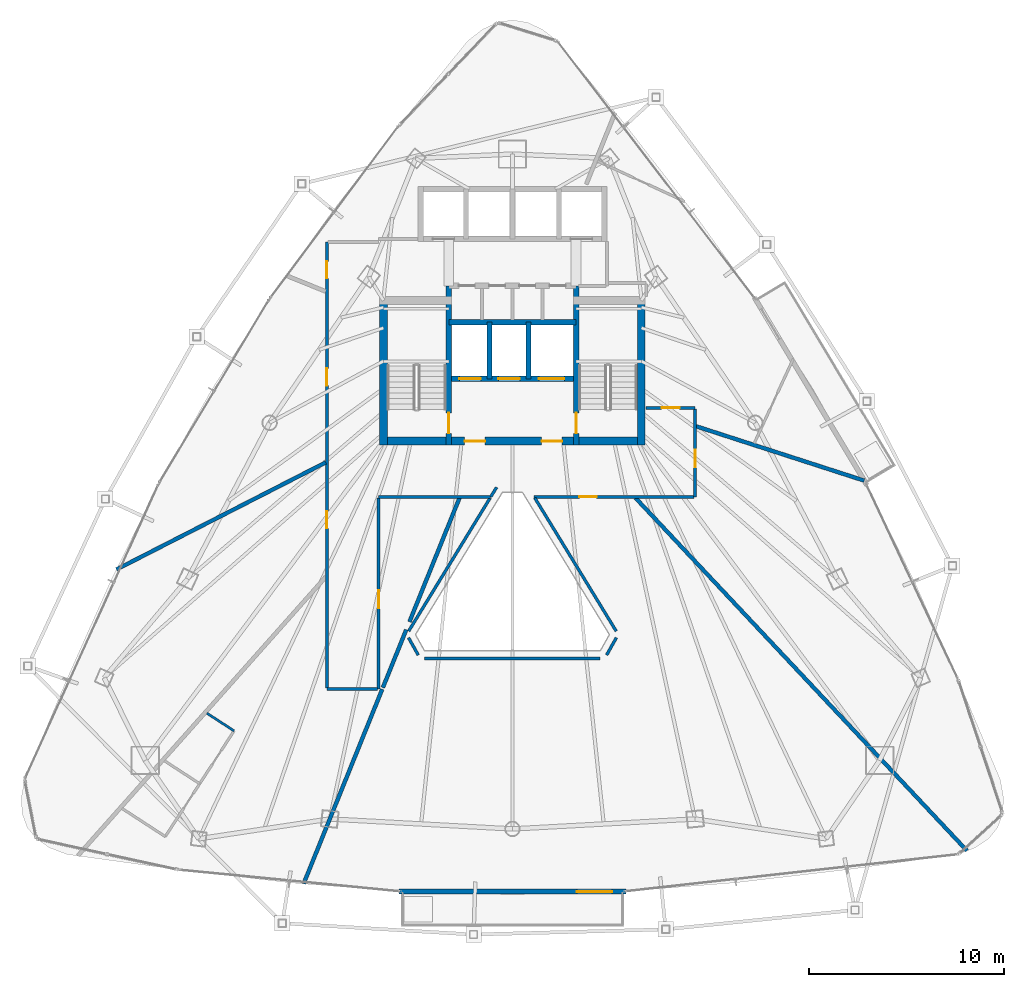
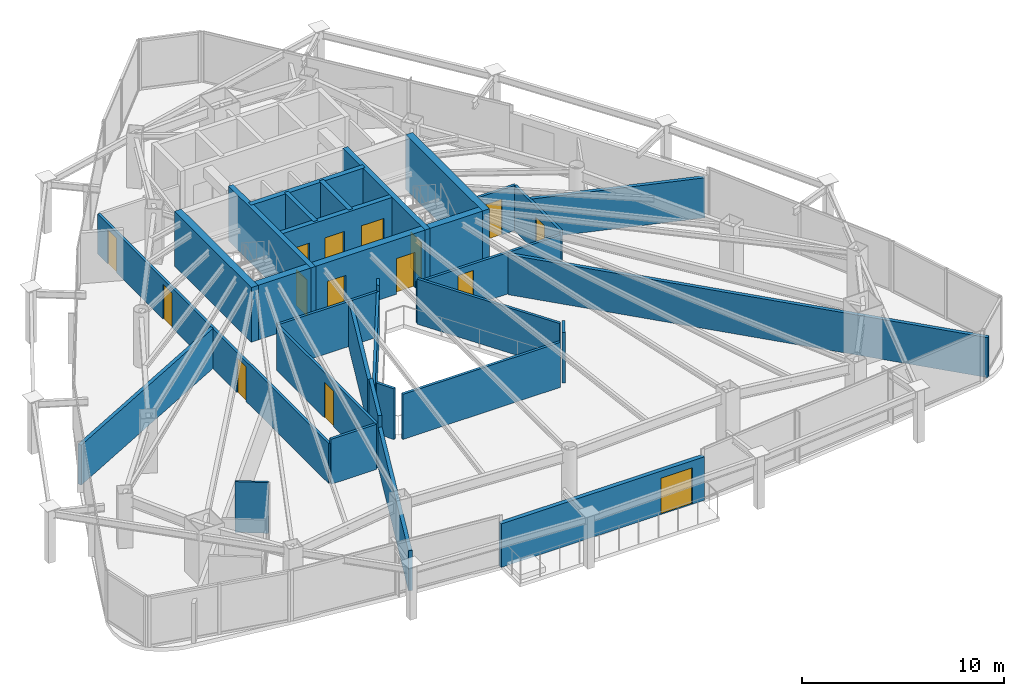
# One storey, part 27 of 31: 30 walls, 15 doors, 15 openings.
"""IFC4 building model written with IfcOpenShell, lengths in metres."""

from ifc_helpers import new_model, si_unit, direction, frame, frame_2d, origin, place, context, subcontext, project, spatial, rectangle, extrude, material, layer, layer_set, type_object, element, fill, save


model = new_model("IFC4")

# Units and contexts
model_context = context("Model", 3, precision=1e-05, world=origin(), true_north=direction((0.0, 1.0)))
body_context = subcontext(model_context, "Body", "Model", "MODEL_VIEW")
ifc_project = project(units=[si_unit("LENGTHUNIT", "METRE"), si_unit("AREAUNIT", "SQUARE_METRE"), si_unit("VOLUMEUNIT", "CUBIC_METRE"), si_unit("PLANEANGLEUNIT", "RADIAN"), si_unit("MASSUNIT", "GRAM", prefix="KILO")], contexts=[model_context])

# Site, building, storey
site_placement = place(None, origin())
site = spatial("IfcSite", under=ifc_project, at=site_placement, CompositionType="ELEMENT")
building_placement = place(site_placement, origin())
building = spatial("IfcBuilding", under=site, at=building_placement, Name="Orvanel Arch Residences", CompositionType="ELEMENT")
storey_placement = place(building_placement, frame((0.0, 0.0, 157.25)))
storey = spatial("IfcBuildingStorey", under=building, at=storey_placement, Name="L44", CompositionType="ELEMENT", Elevation=157.25)

# Wall, opening, door
ifc_material_1 = material(Name="Precast concrete N50 (50 MPa)", Category="concrete")
ifc_layer_1 = layer(ifc_material_1, 0.239990234375)
ifc_layer_set_1 = layer_set([ifc_layer_1], Name="Precast concrete N50 (50 MPa)")
wall_type_1 = type_object("IfcWallType", Name="EW-BAL-240", PredefinedType="SOLIDWALL", material=ifc_layer_set_1)
wall_1_placement = place(storey_placement, frame((27.197998046875, 3.64111328125, 0.0), z_axis=(0.0, 0.0, 1.0), x_axis=(1.0, 0.0, 0.0)))
wall_1 = element("IfcWall", 1, at=wall_1_placement, inside=storey, type_object=wall_type_1, Name="L44 Balcony Threshold Wall Face 2", PredefinedType="SOLIDWALL", context=body_context, shape_type="SweptSolid", body=[
    extrude(rectangle(XDim=11.60400390625, YDim=0.239990234375, at=frame_2d((5.802001953125, 0.0))), origin(), (0.0, 0.0, 1.0), 2.6240234375),
])
opening_1_placement = place(wall_1_placement, frame((9.10693359375, 0.0, 0.0)))
opening_1 = element("IfcOpeningElement", 2, at=opening_1_placement, cuts=wall_1, Name="Opening DB-180", PredefinedType="OPENING", context=body_context, shape_type="SweptSolid", body=[
    extrude(rectangle(XDim=1.800048828125, YDim=2.199951171875, at=frame_2d((0.89990234375, 1.10009765625))), frame((0.0, 0.1298828125, 0.0), z_axis=(0.0, -1.0, 0.0), x_axis=(1.0, 0.0, 0.0)), (0.0, 0.0, 1.0), 0.260009765625),
])
ifc_material_2 = material(Name="Bronze-anodised aluminium AA6063-T6", Category="aluminium")
door_type_1 = type_object("IfcDoorType", Name="DR-BAL-1800", OperationType="NOTDEFINED", PredefinedType="DOOR", material=ifc_material_2)
door_1_placement = place(opening_1_placement, origin())
door_1 = element("IfcDoor", 3, at=door_1_placement, inside=storey, type_object=door_type_1, Name="DR-L44-BAL-F2 L44 Planted Balcony Access Door Face 2", OperationType="SINGLE_SWING_LEFT", OverallHeight=2.199951171875, OverallWidth=1.800048828125, PredefinedType="DOOR", context=body_context, shape_type="SweptSolid", body=[
    extrude(rectangle(XDim=1.800048828125, YDim=2.199951171875, at=frame_2d((0.89990234375, 1.10009765625))), frame((0.0, 0.02490234375, 0.0), z_axis=(0.0, -1.0, 0.0), x_axis=(1.0, 0.0, 0.0)), (0.0, 0.0, 1.0), 0.050048828125),
])
fill(opening_1, door_1)

# Walls
ifc_material_3 = material(Name="Concrete N50 (50 MPa)", Category="concrete")
ifc_layer_2 = layer(ifc_material_3, 0.25)
ifc_layer_set_2 = layer_set([ifc_layer_2], Name="Concrete N50 (50 MPa)")
wall_type_2 = type_object("IfcWallType", Name="SW-CORE-250", PredefinedType="SHEAR", material=ifc_layer_set_2)
for number, where, z_axis, x_axis, name in (
    (4, (31.824951171875, 29.889892578125, 0.0), (0.0, 0.0, 1.0), (0.0, 1.0, 0.0), "L44 Emergency Lift Inter-Shaft Wall F12"),
    (5, (33.824951171875, 29.889892578125, 0.0), (0.0, 0.0, 1.0), (0.0, 1.0, 0.0), "L44 Emergency Lift Inter-Shaft Wall F2G"),
):
    element("IfcWall", number, at=place(storey_placement, frame(where, z_axis=z_axis, x_axis=x_axis)), inside=storey, type_object=wall_type_2, Name=name, PredefinedType="SHEAR", context=body_context, shape_type="SweptSolid", body=[
        extrude(rectangle(XDim=2.900146484375, YDim=0.25, at=frame_2d((1.4501953125, 0.0))), origin(), (0.0, 0.0, 1.0), 3.300048828125),
    ])

# Wall, opening, door
ifc_material_4 = material(Name="Concrete S65 (65 MPa)", Category="concrete")
ifc_layer_3 = layer(ifc_material_4, 0.280029296875)
ifc_layer_set_3 = layer_set([ifc_layer_3], Name="Concrete S65 (65 MPa)")
wall_type_3 = type_object("IfcWallType", Name="SW-CORE-280", PredefinedType="SHEAR", material=ifc_layer_set_3)
wall_2_placement = place(storey_placement, frame((29.739990234375, 26.5, 0.0), z_axis=(0.0, 0.0, 1.0), x_axis=(0.0, 1.0, 0.0)))
wall_2 = element("IfcWall", 6, at=wall_2_placement, inside=storey, type_object=wall_type_3, Name="L44 West Inner Core Spine Shear Wall", PredefinedType="SHEAR", context=body_context, shape_type="SweptSolid", body=[
    extrude(rectangle(XDim=8.14990234375, YDim=0.280029296875, at=frame_2d((4.074951171875, 0.0))), origin(), (0.0, 0.0, 1.0), 3.300048828125),
])
opening_2_placement = place(wall_2_placement, frame((0.60009765625, 0.0, 0.0)))
opening_2 = element("IfcOpeningElement", 7, at=opening_2_placement, cuts=wall_2, Name="Opening DF-120", PredefinedType="OPENING", context=body_context, shape_type="SweptSolid", body=[
    extrude(rectangle(XDim=1.050048828125, YDim=2.14990234375, at=frame_2d((0.52490234375, 1.074951171875))), frame((0.0, 0.14990234375, 0.0), z_axis=(0.0, -1.0, 0.0), x_axis=(1.0, 0.0, 0.0)), (0.0, 0.0, 1.0), 0.300048828125),
])
ifc_material_5 = material(Name="Galvanised steel fire-resisting door assembly", Category="steel")
door_type_2 = type_object("IfcDoorType", Name="DR-FD120-1050", OperationType="NOTDEFINED", PredefinedType="DOOR", material=ifc_material_5)
door_2_placement = place(opening_2_placement, origin())
door_2 = element("IfcDoor", 8, at=door_2_placement, inside=storey, type_object=door_type_2, Name="DR-L44-ST1 L44 Stair 1 Fire Door", OperationType="SINGLE_SWING_LEFT", OverallHeight=2.14990234375, OverallWidth=1.050048828125, PredefinedType="DOOR", context=body_context, shape_type="SweptSolid", body=[
    extrude(rectangle(XDim=1.050048828125, YDim=2.14990234375, at=frame_2d((0.52490234375, 1.074951171875))), frame((0.0, 0.02490234375, 0.0), z_axis=(0.0, -1.0, 0.0), x_axis=(1.0, 0.0, 0.0)), (0.0, 0.0, 1.0), 0.050048828125),
])
fill(opening_2, door_2)

wall_3_placement = place(storey_placement, frame((36.260009765625, 26.5, 0.0), z_axis=(0.0, 0.0, 1.0), x_axis=(0.0, 1.0, 0.0)))
wall_3 = element("IfcWall", 9, at=wall_3_placement, inside=storey, type_object=wall_type_3, Name="L44 East Inner Core Spine Shear Wall", PredefinedType="SHEAR", context=body_context, shape_type="SweptSolid", body=[
    extrude(rectangle(XDim=8.14990234375, YDim=0.280029296875, at=frame_2d((4.074951171875, 0.0))), origin(), (0.0, 0.0, 1.0), 3.300048828125),
])
opening_3_placement = place(wall_3_placement, frame((0.60009765625, 0.0, 0.0)))
opening_3 = element("IfcOpeningElement", 10, at=opening_3_placement, cuts=wall_3, Name="Opening DF-120", PredefinedType="OPENING", context=body_context, shape_type="SweptSolid", body=[
    extrude(rectangle(XDim=1.050048828125, YDim=2.14990234375, at=frame_2d((0.52490234375, 1.074951171875))), frame((0.0, 0.14990234375, 0.0), z_axis=(0.0, -1.0, 0.0), x_axis=(1.0, 0.0, 0.0)), (0.0, 0.0, 1.0), 0.300048828125),
])
door_3_placement = place(opening_3_placement, origin())
door_3 = element("IfcDoor", 11, at=door_3_placement, inside=storey, type_object=door_type_2, Name="DR-L44-ST2 L44 Stair 2 Fire Door", OperationType="SINGLE_SWING_RIGHT", OverallHeight=2.14990234375, OverallWidth=1.050048828125, PredefinedType="DOOR", context=body_context, shape_type="SweptSolid", body=[
    extrude(rectangle(XDim=1.050048828125, YDim=2.14990234375, at=frame_2d((0.52490234375, 1.074951171875))), frame((0.0, 0.02490234375, 0.0), z_axis=(0.0, -1.0, 0.0), x_axis=(1.0, 0.0, 0.0)), (0.0, 0.0, 1.0), 0.050048828125),
])
fill(opening_3, door_3)

# Wall, openings, doors
wall_4_placement = place(storey_placement, frame((36.260009765625, 29.889892578125, 0.0), z_axis=(0.0, 0.0, 1.0), x_axis=(-1.0, 0.0, 0.0)))
wall_4 = element("IfcWall", 12, at=wall_4_placement, inside=storey, type_object=wall_type_3, Name="L44 Emergency Lift Front Core Shear Wall", PredefinedType="SHEAR", context=body_context, shape_type="SweptSolid", body=[
    extrude(rectangle(XDim=6.52001953125, YDim=0.280029296875, at=frame_2d((3.260009765625, 0.0))), origin(), (0.0, 0.0, 1.0), 3.300048828125),
])
opening_4_placement = place(wall_4_placement, frame((4.875, 0.0, 0.0)))
opening_4 = element("IfcOpeningElement", 13, at=opening_4_placement, cuts=wall_4, Name="Opening LD-110", PredefinedType="OPENING", context=body_context, shape_type="SweptSolid", body=[
    extrude(rectangle(XDim=1.10009765625, YDim=2.199951171875, at=frame_2d((0.550048828125, 1.10009765625))), frame((0.0, 0.14990234375, 0.0), z_axis=(0.0, -1.0, 0.0), x_axis=(1.0, 0.0, 0.0)), (0.0, 0.0, 1.0), 0.300048828125),
])
opening_5_placement = place(wall_4_placement, frame((2.875, 0.0, 0.0)))
opening_5 = element("IfcOpeningElement", 14, at=opening_5_placement, cuts=wall_4, Name="Opening LD-110", PredefinedType="OPENING", context=body_context, shape_type="SweptSolid", body=[
    extrude(rectangle(XDim=1.10009765625, YDim=2.199951171875, at=frame_2d((0.550048828125, 1.10009765625))), frame((0.0, 0.14990234375, 0.0), z_axis=(0.0, -1.0, 0.0), x_axis=(1.0, 0.0, 0.0)), (0.0, 0.0, 1.0), 0.300048828125),
])
opening_6_placement = place(wall_4_placement, frame((0.60009765625, 0.0, 0.0)))
opening_6 = element("IfcOpeningElement", 15, at=opening_6_placement, cuts=wall_4, Name="Opening LD-130", PredefinedType="OPENING", context=body_context, shape_type="SweptSolid", body=[
    extrude(rectangle(XDim=1.300048828125, YDim=2.199951171875, at=frame_2d((0.64990234375, 1.10009765625))), frame((0.0, 0.14990234375, 0.0), z_axis=(0.0, -1.0, 0.0), x_axis=(1.0, 0.0, 0.0)), (0.0, 0.0, 1.0), 0.300048828125),
])
door_type_3 = type_object("IfcDoorType", Name="DR-LFT-1100", OperationType="NOTDEFINED", PredefinedType="DOOR", material=ifc_material_5)
door_4_placement = place(opening_4_placement, origin())
door_4 = element("IfcDoor", 16, at=door_4_placement, inside=storey, type_object=door_type_3, Name="LD-F1-L44 L44 Lift F1 Sliding Landing Door", OperationType="DOUBLE_DOOR_SLIDING", OverallHeight=2.199951171875, OverallWidth=1.10009765625, PredefinedType="DOOR", context=body_context, shape_type="SweptSolid", body=[
    extrude(rectangle(XDim=1.10009765625, YDim=2.199951171875, at=frame_2d((0.550048828125, 1.10009765625))), frame((0.0, 0.02490234375, 0.0), z_axis=(0.0, -1.0, 0.0), x_axis=(1.0, 0.0, 0.0)), (0.0, 0.0, 1.0), 0.050048828125),
])
fill(opening_4, door_4)
door_5_placement = place(opening_5_placement, origin())
door_5 = element("IfcDoor", 17, at=door_5_placement, inside=storey, type_object=door_type_3, Name="LD-F2-L44 L44 Lift F2 Sliding Landing Door", OperationType="DOUBLE_DOOR_SLIDING", OverallHeight=2.199951171875, OverallWidth=1.10009765625, PredefinedType="DOOR", context=body_context, shape_type="SweptSolid", body=[
    extrude(rectangle(XDim=1.10009765625, YDim=2.199951171875, at=frame_2d((0.550048828125, 1.10009765625))), frame((0.0, 0.02490234375, 0.0), z_axis=(0.0, -1.0, 0.0), x_axis=(1.0, 0.0, 0.0)), (0.0, 0.0, 1.0), 0.050048828125),
])
fill(opening_5, door_5)
door_type_4 = type_object("IfcDoorType", Name="DR-LFT-1300", OperationType="NOTDEFINED", PredefinedType="DOOR", material=ifc_material_5)
door_6_placement = place(opening_6_placement, origin())
door_6 = element("IfcDoor", 18, at=door_6_placement, inside=storey, type_object=door_type_4, Name="LD-G1-L44 L44 Lift G1 Sliding Landing Door", OperationType="DOUBLE_DOOR_SLIDING", OverallHeight=2.199951171875, OverallWidth=1.300048828125, PredefinedType="DOOR", context=body_context, shape_type="SweptSolid", body=[
    extrude(rectangle(XDim=1.300048828125, YDim=2.199951171875, at=frame_2d((0.64990234375, 1.10009765625))), frame((0.0, 0.02490234375, 0.0), z_axis=(0.0, -1.0, 0.0), x_axis=(1.0, 0.0, 0.0)), (0.0, 0.0, 1.0), 0.050048828125),
])
fill(opening_6, door_6)

# Wall
wall_5_placement = place(storey_placement, frame((29.739990234375, 32.7900390625, 0.0), z_axis=(0.0, 0.0, 1.0), x_axis=(1.0, 0.0, 0.0)))
element("IfcWall", 19, at=wall_5_placement, inside=storey, type_object=wall_type_3, Name="L44 Emergency Lift Back Core Shear Wall", PredefinedType="SHEAR", context=body_context, shape_type="SweptSolid", body=[
    extrude(rectangle(XDim=6.52001953125, YDim=0.280029296875, at=frame_2d((3.260009765625, 0.0))), origin(), (0.0, 0.0, 1.0), 3.300048828125),
])

# Wall, openings, doors
ifc_layer_4 = layer(ifc_material_4, 0.39990234375)
ifc_layer_set_4 = layer_set([ifc_layer_4], Name="Concrete S65 (65 MPa)")
wall_type_4 = type_object("IfcWallType", Name="SW-CORE-400", PredefinedType="SHEAR", material=ifc_layer_set_4)
wall_6_placement = place(storey_placement, frame((26.199951171875, 26.699951171875, 0.0), z_axis=(0.0, 0.0, 1.0), x_axis=(1.0, 0.0, 0.0)))
wall_6 = element("IfcWall", 20, at=wall_6_placement, inside=storey, type_object=wall_type_4, Name="L44 South Core Shear Wall", PredefinedType="SHEAR", context=body_context, shape_type="SweptSolid", body=[
    extrude(rectangle(XDim=13.60009765625, YDim=0.39990234375, at=frame_2d((6.800048828125, 0.0))), origin(), (0.0, 0.0, 1.0), 3.300048828125),
])
opening_7_placement = place(wall_6_placement, frame((4.35009765625, 0.0, 0.0)))
opening_7 = element("IfcOpeningElement", 21, at=opening_7_placement, cuts=wall_6, Name="Opening DF-060", PredefinedType="OPENING", context=body_context, shape_type="SweptSolid", body=[
    extrude(rectangle(XDim=1.050048828125, YDim=2.14990234375, at=frame_2d((0.52490234375, 1.074951171875))), frame((0.0, 0.2099609375, 0.0), z_axis=(0.0, -1.0, 0.0), x_axis=(1.0, 0.0, 0.0)), (0.0, 0.0, 1.0), 0.419921875),
])
opening_8_placement = place(wall_6_placement, frame((8.300048828125, 0.0, 0.0)))
opening_8 = element("IfcOpeningElement", 22, at=opening_8_placement, cuts=wall_6, Name="Opening DF-060", PredefinedType="OPENING", context=body_context, shape_type="SweptSolid", body=[
    extrude(rectangle(XDim=1.050048828125, YDim=2.14990234375, at=frame_2d((0.52490234375, 1.074951171875))), frame((0.0, 0.2099609375, 0.0), z_axis=(0.0, -1.0, 0.0), x_axis=(1.0, 0.0, 0.0)), (0.0, 0.0, 1.0), 0.419921875),
])
door_type_5 = type_object("IfcDoorType", Name="DR-FD60-1050", OperationType="NOTDEFINED", PredefinedType="DOOR", material=ifc_material_5)
door_7_placement = place(opening_7_placement, origin())
door_7 = element("IfcDoor", 23, at=door_7_placement, inside=storey, type_object=door_type_5, Name="DR-L44-FFL-W L44 West Smoke Lobby Door", OperationType="SINGLE_SWING_LEFT", OverallHeight=2.14990234375, OverallWidth=1.050048828125, PredefinedType="DOOR", context=body_context, shape_type="SweptSolid", body=[
    extrude(rectangle(XDim=1.050048828125, YDim=2.14990234375, at=frame_2d((0.52490234375, 1.074951171875))), frame((0.0, 0.02490234375, 0.0), z_axis=(0.0, -1.0, 0.0), x_axis=(1.0, 0.0, 0.0)), (0.0, 0.0, 1.0), 0.050048828125),
])
fill(opening_7, door_7)
door_8_placement = place(opening_8_placement, origin())
door_8 = element("IfcDoor", 24, at=door_8_placement, inside=storey, type_object=door_type_5, Name="DR-L44-FFL-E L44 East Smoke Lobby Door", OperationType="SINGLE_SWING_RIGHT", OverallHeight=2.14990234375, OverallWidth=1.050048828125, PredefinedType="DOOR", context=body_context, shape_type="SweptSolid", body=[
    extrude(rectangle(XDim=1.050048828125, YDim=2.14990234375, at=frame_2d((0.52490234375, 1.074951171875))), frame((0.0, 0.02490234375, 0.0), z_axis=(0.0, -1.0, 0.0), x_axis=(1.0, 0.0, 0.0)), (0.0, 0.0, 1.0), 0.050048828125),
])
fill(opening_8, door_8)

# Walls
for number, where, z_axis, x_axis, name in (
    (25, (26.39990234375, 26.5, 0.0), (0.0, 0.0, 1.0), (0.0, 1.0, 0.0), "L44 West Stair Shear Wall"),
    (26, (39.60009765625, 26.5, 0.0), (0.0, 0.0, 1.0), (0.0, 1.0, 0.0), "L44 East Stair Shear Wall"),
):
    element("IfcWall", number, at=place(storey_placement, frame(where, z_axis=z_axis, x_axis=x_axis)), inside=storey, type_object=wall_type_4, Name=name, PredefinedType="SHEAR", context=body_context, shape_type="SweptSolid", body=[
        extrude(rectangle(XDim=7.60009765625, YDim=0.39990234375, at=frame_2d((3.800048828125, 0.0))), origin(), (0.0, 0.0, 1.0), 3.300048828125),
    ])
ifc_material_6 = material(Name="Fire-rated plasterboard lined steel stud partition", Category="steel")
ifc_layer_5 = layer(ifc_material_6, 0.14990234375)
ifc_layer_set_5 = layer_set([ifc_layer_5], Name="Fire-rated plasterboard lined steel stud partition")
wall_type_5 = type_object("IfcWallType", Name="W-COR-150", PredefinedType="PARTITIONING", material=ifc_layer_set_5)
wall_7_placement = place(storey_placement, frame((32.19189453125, 24.3359375, 0.0), z_axis=(0.0, 0.0, 1.0), x_axis=(-0.529155471054, -0.848524889119, 0.0)))
element("IfcWall", 27, at=wall_7_placement, inside=storey, type_object=wall_type_5, Name="L44 Corridor Fire-Rated Partition", PredefinedType="PARTITIONING", context=body_context, shape_type="SweptSolid", body=[
    extrude(rectangle(XDim=0.572509765625, YDim=0.14990234375, at=frame_2d((0.2861328125, 0.0))), origin(), (0.0, 0.0, 1.0), 3.06005859375),
])
wall_8_placement = place(storey_placement, frame((31.888916015625, 23.85009765625, 0.0), z_axis=(0.0, 0.0, 1.0), x_axis=(-1.0, 0.0, 0.0)))
element("IfcWall", 28, at=wall_8_placement, inside=storey, type_object=wall_type_5, Name="L44 Corridor Fire-Rated Partition", PredefinedType="PARTITIONING", context=body_context, shape_type="SweptSolid", body=[
    extrude(rectangle(XDim=5.739013671875, YDim=0.14990234375, at=frame_2d((2.86962890625, 0.0))), origin(), (0.0, 0.0, 1.0), 2.720947265625),
])

# Wall, opening, door
wall_9_placement = place(storey_placement, frame((26.14990234375, 23.7900390625, 0.0), z_axis=(0.0, 0.0, 1.0), x_axis=(0.0, -1.0, 0.0)))
wall_9 = element("IfcWall", 29, at=wall_9_placement, inside=storey, type_object=wall_type_5, Name="L44 Corridor Fire-Rated Partition", PredefinedType="PARTITIONING", context=body_context, shape_type="SweptSolid", body=[
    extrude(rectangle(XDim=9.7900390625, YDim=0.14990234375, at=frame_2d((4.89501953125, 0.0))), origin(), (0.0, 0.0, 1.0), 2.720947265625),
])
opening_9_placement = place(wall_9_placement, frame((4.72705078125, 0.0, 0.0)))
opening_9 = element("IfcOpeningElement", 30, at=opening_9_placement, cuts=wall_9, Name="Opening DA-092", PredefinedType="OPENING", context=body_context, shape_type="SweptSolid", body=[
    extrude(rectangle(XDim=0.919921875, YDim=2.14990234375, at=frame_2d((0.4599609375, 1.074951171875))), frame((0.0, 0.0849609375, 0.0), z_axis=(0.0, -1.0, 0.0), x_axis=(1.0, 0.0, 0.0)), (0.0, 0.0, 1.0), 0.169921875),
])
ifc_material_7 = material(Name="Solid-core European oak veneer fire door leaf", Category="wood")
door_type_6 = type_object("IfcDoorType", Name="DR-APT-920", OperationType="NOTDEFINED", PredefinedType="DOOR", material=ifc_material_7)
door_9_placement = place(opening_9_placement, origin())
door_9 = element("IfcDoor", 31, at=door_9_placement, inside=storey, type_object=door_type_6, Name="DR-L44-A-ENT L44 Studio A Entrance Door", OperationType="SINGLE_SWING_RIGHT", OverallHeight=2.14990234375, OverallWidth=0.919921875, PredefinedType="DOOR", context=body_context, shape_type="SweptSolid", body=[
    extrude(rectangle(XDim=0.919921875, YDim=2.14990234375, at=frame_2d((0.4599609375, 1.074951171875))), frame((0.0, 0.02490234375, 0.0), z_axis=(0.0, -1.0, 0.0), x_axis=(1.0, 0.0, 0.0)), (0.0, 0.0, 1.0), 0.050048828125),
])
fill(opening_9, door_9)

# Wall
wall_10_placement = place(storey_placement, frame((26.090087890625, 14.0, 0.0), z_axis=(0.0, 0.0, 1.0), x_axis=(-1.0, 0.0, 0.0)))
element("IfcWall", 32, at=wall_10_placement, inside=storey, type_object=wall_type_5, Name="L44 Corridor Fire-Rated Partition", PredefinedType="PARTITIONING", context=body_context, shape_type="SweptSolid", body=[
    extrude(rectangle(XDim=2.590087890625, YDim=0.14990234375, at=frame_2d((1.294921875, 0.0))), origin(), (0.0, 0.0, 1.0), 2.720947265625),
])

# Wall, openings, doors
wall_11_placement = place(storey_placement, frame((23.5, 14.06005859375, 0.0), z_axis=(0.0, 0.0, 1.0), x_axis=(0.0, 1.0, 0.0)))
wall_11 = element("IfcWall", 33, at=wall_11_placement, inside=storey, type_object=wall_type_5, Name="L44 Corridor Fire-Rated Partition", PredefinedType="PARTITIONING", context=body_context, shape_type="SweptSolid", body=[
    extrude(rectangle(XDim=22.83984375, YDim=0.14990234375, at=frame_2d((11.419921875, 0.0))), origin(), (0.0, 0.0, 1.0), 2.4130859375),
])
opening_10_placement = place(wall_11_placement, frame((8.172119140625, 0.0, 0.0)))
opening_10 = element("IfcOpeningElement", 34, at=opening_10_placement, cuts=wall_11, Name="Opening DI-088", PredefinedType="OPENING", context=body_context, shape_type="SweptSolid", body=[
    extrude(rectangle(XDim=0.8798828125, YDim=2.10009765625, at=frame_2d((0.43994140625, 1.050048828125))), frame((0.0, 0.0849609375, 0.0), z_axis=(0.0, -1.0, 0.0), x_axis=(1.0, 0.0, 0.0)), (0.0, 0.0, 1.0), 0.169921875),
])
opening_11_placement = place(wall_11_placement, frame((20.968994140625, 0.0, 0.0)))
opening_11 = element("IfcOpeningElement", 35, at=opening_11_placement, cuts=wall_11, Name="Opening DI-088", PredefinedType="OPENING", context=body_context, shape_type="SweptSolid", body=[
    extrude(rectangle(XDim=0.8798828125, YDim=2.10009765625, at=frame_2d((0.43994140625, 1.050048828125))), frame((0.0, 0.0849609375, 0.0), z_axis=(0.0, -1.0, 0.0), x_axis=(1.0, 0.0, 0.0)), (0.0, 0.0, 1.0), 0.169921875),
])
opening_12_placement = place(wall_11_placement, frame((15.48388671875, 0.0, 0.0)))
opening_12 = element("IfcOpeningElement", 36, at=opening_12_placement, cuts=wall_11, Name="Opening DI-088", PredefinedType="OPENING", context=body_context, shape_type="SweptSolid", body=[
    extrude(rectangle(XDim=0.8798828125, YDim=2.10009765625, at=frame_2d((0.43994140625, 1.050048828125))), frame((0.0, 0.0849609375, 0.0), z_axis=(0.0, -1.0, 0.0), x_axis=(1.0, 0.0, 0.0)), (0.0, 0.0, 1.0), 0.169921875),
])
door_type_7 = type_object("IfcDoorType", Name="DR-INT-880", OperationType="NOTDEFINED", PredefinedType="DOOR", material=ifc_material_7)
door_10_placement = place(opening_10_placement, origin())
door_10 = element("IfcDoor", 37, at=door_10_placement, inside=storey, type_object=door_type_7, Name="DR-L44-CAR42-1 L44 Allied Health Therapy Room 1 Door", OperationType="SINGLE_SWING_LEFT", OverallHeight=2.10009765625, OverallWidth=0.8798828125, PredefinedType="DOOR", context=body_context, shape_type="SweptSolid", body=[
    extrude(rectangle(XDim=0.8798828125, YDim=2.10009765625, at=frame_2d((0.43994140625, 1.050048828125))), frame((0.0, 0.02490234375, 0.0), z_axis=(0.0, -1.0, 0.0), x_axis=(1.0, 0.0, 0.0)), (0.0, 0.0, 1.0), 0.050048828125),
])
fill(opening_10, door_10)
door_11_placement = place(opening_11_placement, origin())
door_11 = element("IfcDoor", 38, at=door_11_placement, inside=storey, type_object=door_type_7, Name="DR-L44-SHRD-FB3 L44 Co-Working Study Office C Door", OperationType="SINGLE_SWING_LEFT", OverallHeight=2.10009765625, OverallWidth=0.8798828125, PredefinedType="DOOR", context=body_context, shape_type="SweptSolid", body=[
    extrude(rectangle(XDim=0.8798828125, YDim=2.10009765625, at=frame_2d((0.43994140625, 1.050048828125))), frame((0.0, 0.02490234375, 0.0), z_axis=(0.0, -1.0, 0.0), x_axis=(1.0, 0.0, 0.0)), (0.0, 0.0, 1.0), 0.050048828125),
])
fill(opening_11, door_11)
door_12_placement = place(opening_12_placement, origin())
door_12 = element("IfcDoor", 39, at=door_12_placement, inside=storey, type_object=door_type_7, Name="DR-L44-SHRD-FB4 L44 Co-Working Study Office D Door", OperationType="SINGLE_SWING_LEFT", OverallHeight=2.10009765625, OverallWidth=0.8798828125, PredefinedType="DOOR", context=body_context, shape_type="SweptSolid", body=[
    extrude(rectangle(XDim=0.8798828125, YDim=2.10009765625, at=frame_2d((0.43994140625, 1.050048828125))), frame((0.0, 0.02490234375, 0.0), z_axis=(0.0, -1.0, 0.0), x_axis=(1.0, 0.0, 0.0)), (0.0, 0.0, 1.0), 0.050048828125),
])
fill(opening_12, door_12)

# Wall, opening, door
wall_12_placement = place(storey_placement, frame((39.85009765625, 28.39990234375, 0.0), z_axis=(0.0, 0.0, 1.0), x_axis=(1.0, 0.0, 0.0)))
wall_12 = element("IfcWall", 40, at=wall_12_placement, inside=storey, type_object=wall_type_5, Name="L44 Corridor Fire-Rated Partition", PredefinedType="PARTITIONING", context=body_context, shape_type="SweptSolid", body=[
    extrude(rectangle(XDim=2.5, YDim=0.14990234375, at=frame_2d((1.25, 0.0))), origin(), (0.0, 0.0, 1.0), 2.720947265625),
])
opening_13_placement = place(wall_12_placement, frame((0.7900390625, 0.0, 0.0)))
opening_13 = element("IfcOpeningElement", 41, at=opening_13_placement, cuts=wall_12, Name="Opening DA-092", PredefinedType="OPENING", context=body_context, shape_type="SweptSolid", body=[
    extrude(rectangle(XDim=0.919921875, YDim=2.14990234375, at=frame_2d((0.4599609375, 1.074951171875))), frame((0.0, 0.0849609375, 0.0), z_axis=(0.0, -1.0, 0.0), x_axis=(1.0, 0.0, 0.0)), (0.0, 0.0, 1.0), 0.169921875),
])
door_13_placement = place(opening_13_placement, origin())
door_13 = element("IfcDoor", 42, at=door_13_placement, inside=storey, type_object=door_type_6, Name="DR-L44-B-ENT L44 Studio B Entrance Door", OperationType="SINGLE_SWING_LEFT", OverallHeight=2.14990234375, OverallWidth=0.919921875, PredefinedType="DOOR", context=body_context, shape_type="SweptSolid", body=[
    extrude(rectangle(XDim=0.919921875, YDim=2.14990234375, at=frame_2d((0.4599609375, 1.074951171875))), frame((0.0, 0.02490234375, 0.0), z_axis=(0.0, -1.0, 0.0), x_axis=(1.0, 0.0, 0.0)), (0.0, 0.0, 1.0), 0.050048828125),
])
fill(opening_13, door_13)

wall_13_placement = place(storey_placement, frame((42.35009765625, 28.340087890625, 0.0), z_axis=(0.0, 0.0, 1.0), x_axis=(0.0, -1.0, 0.0)))
wall_13 = element("IfcWall", 43, at=wall_13_placement, inside=storey, type_object=wall_type_5, Name="L44 Corridor Fire-Rated Partition", PredefinedType="PARTITIONING", context=body_context, shape_type="SweptSolid", body=[
    extrude(rectangle(XDim=4.489990234375, YDim=0.14990234375, at=frame_2d((2.2451171875, 0.0))), origin(), (0.0, 0.0, 1.0), 2.720947265625),
])
opening_14_placement = place(wall_13_placement, frame((2.0859375, 0.0, 0.0)))
opening_14 = element("IfcOpeningElement", 44, at=opening_14_placement, cuts=wall_13, Name="Opening DI-088", PredefinedType="OPENING", context=body_context, shape_type="SweptSolid", body=[
    extrude(rectangle(XDim=0.8798828125, YDim=2.10009765625, at=frame_2d((0.43994140625, 1.050048828125))), frame((0.0, 0.0849609375, 0.0), z_axis=(0.0, -1.0, 0.0), x_axis=(1.0, 0.0, 0.0)), (0.0, 0.0, 1.0), 0.169921875),
])
door_14_placement = place(opening_14_placement, origin())
door_14 = element("IfcDoor", 45, at=door_14_placement, inside=storey, type_object=door_type_7, Name="DR-L44-STU42-2 L44 Quiet Study Room 2 Door", OperationType="SINGLE_SWING_LEFT", OverallHeight=2.10009765625, OverallWidth=0.8798828125, PredefinedType="DOOR", context=body_context, shape_type="SweptSolid", body=[
    extrude(rectangle(XDim=0.8798828125, YDim=2.10009765625, at=frame_2d((0.43994140625, 1.050048828125))), frame((0.0, 0.02490234375, 0.0), z_axis=(0.0, -1.0, 0.0), x_axis=(1.0, 0.0, 0.0)), (0.0, 0.0, 1.0), 0.050048828125),
])
fill(opening_14, door_14)

wall_14_placement = place(storey_placement, frame((42.2900390625, 23.85009765625, 0.0), z_axis=(0.0, 0.0, 1.0), x_axis=(-1.0, 0.0, 0.0)))
wall_14 = element("IfcWall", 46, at=wall_14_placement, inside=storey, type_object=wall_type_5, Name="L44 Corridor Fire-Rated Partition", PredefinedType="PARTITIONING", context=body_context, shape_type="SweptSolid", body=[
    extrude(rectangle(XDim=8.178955078125, YDim=0.14990234375, at=frame_2d((4.08935546875, 0.0))), origin(), (0.0, 0.0, 1.0), 2.491943359375),
])
opening_15_placement = place(wall_14_placement, frame((4.97998046875, 0.0, 0.0)))
opening_15 = element("IfcOpeningElement", 47, at=opening_15_placement, cuts=wall_14, Name="Opening DI-088", PredefinedType="OPENING", context=body_context, shape_type="SweptSolid", body=[
    extrude(rectangle(XDim=0.8798828125, YDim=2.10009765625, at=frame_2d((0.43994140625, 1.050048828125))), frame((0.0, 0.0849609375, 0.0), z_axis=(0.0, -1.0, 0.0), x_axis=(1.0, 0.0, 0.0)), (0.0, 0.0, 1.0), 0.169921875),
])
door_15_placement = place(opening_15_placement, origin())
door_15 = element("IfcDoor", 48, at=door_15_placement, inside=storey, type_object=door_type_7, Name="DR-L44-STU42-1 L44 Quiet Study Room 1 Door", OperationType="SINGLE_SWING_LEFT", OverallHeight=2.10009765625, OverallWidth=0.8798828125, PredefinedType="DOOR", context=body_context, shape_type="SweptSolid", body=[
    extrude(rectangle(XDim=0.8798828125, YDim=2.10009765625, at=frame_2d((0.43994140625, 1.050048828125))), frame((0.0, 0.02490234375, 0.0), z_axis=(0.0, -1.0, 0.0), x_axis=(1.0, 0.0, 0.0)), (0.0, 0.0, 1.0), 0.050048828125),
])
fill(opening_15, door_15)

# Walls
wall_15_placement = place(storey_placement, frame((34.14697265625, 23.7900390625, 0.0), z_axis=(0.0, 0.0, 1.0), x_axis=(0.521429001816, -0.853294671298, 0.0)))
element("IfcWall", 49, at=wall_15_placement, inside=storey, type_object=wall_type_5, Name="L44 Atrium Overlook Glazed Partition", PredefinedType="PARTITIONING", context=body_context, shape_type="SweptSolid", body=[
    extrude(rectangle(XDim=7.991455078125, YDim=0.14990234375, at=frame_2d((3.99560546875, 0.0))), origin(), (0.0, 0.0, 1.0), 2.720947265625),
])
wall_16_placement = place(storey_placement, frame((38.320068359375, 16.635009765625, 0.0), z_axis=(0.0, 0.0, 1.0), x_axis=(-0.489202035948, -0.872170492521, 0.0)))
element("IfcWall", 50, at=wall_16_placement, inside=storey, type_object=wall_type_5, Name="L44 Atrium Overlook Glazed Partition", PredefinedType="PARTITIONING", context=body_context, shape_type="SweptSolid", body=[
    extrude(rectangle(XDim=1.01806640625, YDim=0.14990234375, at=frame_2d((0.509033203125, 0.0))), origin(), (0.0, 0.0, 1.0), 3.06005859375),
])
wall_17_placement = place(storey_placement, frame((37.492919921875, 15.574951171875, 0.0), z_axis=(0.0, 0.0, 1.0), x_axis=(-1.0, 0.0, 0.0)))
element("IfcWall", 51, at=wall_17_placement, inside=storey, type_object=wall_type_5, Name="L44 Atrium Overlook Glazed Partition", PredefinedType="PARTITIONING", context=body_context, shape_type="SweptSolid", body=[
    extrude(rectangle(XDim=8.98681640625, YDim=0.14990234375, at=frame_2d((4.493408203125, 0.0))), origin(), (0.0, 0.0, 1.0), 2.720947265625),
])
wall_18_placement = place(storey_placement, frame((28.177978515625, 15.7470703125, 0.0), z_axis=(0.0, 0.0, 1.0), x_axis=(-0.489202035948, 0.872170492521, 0.0)))
element("IfcWall", 52, at=wall_18_placement, inside=storey, type_object=wall_type_5, Name="L44 Atrium Overlook Glazed Partition", PredefinedType="PARTITIONING", context=body_context, shape_type="SweptSolid", body=[
    extrude(rectangle(XDim=1.01806640625, YDim=0.14990234375, at=frame_2d((0.509033203125, 0.0))), origin(), (0.0, 0.0, 1.0), 3.06005859375),
])
wall_19_placement = place(storey_placement, frame((27.68603515625, 16.970947265625, 0.0), z_axis=(0.0, 0.0, 1.0), x_axis=(0.521873666917, 0.853022787374, 0.0)))
element("IfcWall", 53, at=wall_19_placement, inside=storey, type_object=wall_type_5, Name="L44 Atrium Overlook Glazed Partition", PredefinedType="PARTITIONING", context=body_context, shape_type="SweptSolid", body=[
    extrude(rectangle(XDim=7.994140625, YDim=0.14990234375, at=frame_2d((3.9970703125, 0.0))), origin(), (0.0, 0.0, 1.0), 2.720947265625),
])
ifc_layer_6 = layer(ifc_material_6, 0.199951171875)
ifc_layer_set_6 = layer_set([ifc_layer_6], Name="Fire-rated plasterboard lined steel stud partition")
wall_type_6 = type_object("IfcWallType", Name="W-DEM-200", PredefinedType="PARTITIONING", material=ifc_layer_set_6)
wall_20_placement = place(storey_placement, frame((39.303955078125, 23.7900390625, 0.0), z_axis=(0.0, 0.0, 1.0), x_axis=(0.684750154022, -0.72877789934, 0.0)))
element("IfcWall", 54, at=wall_20_placement, inside=storey, type_object=wall_type_6, Name="L44 Inter-Tenancy Acoustic Demising Wall", PredefinedType="PARTITIONING", context=body_context, shape_type="SweptSolid", body=[
    extrude(rectangle(XDim=24.78125, YDim=0.199951171875, at=frame_2d((12.390625, 0.0))), origin(), (0.0, 0.0, 1.0), 2.4130859375),
])
wall_21_placement = place(storey_placement, frame((22.31103515625, 4.044921875, 0.0), z_axis=(0.0, 0.0, 1.0), x_axis=(0.374673572515, 0.92715679044, 0.0)))
element("IfcWall", 55, at=wall_21_placement, inside=storey, type_object=wall_type_6, Name="L44 Inter-Tenancy Acoustic Demising Wall", PredefinedType="PARTITIONING", context=body_context, shape_type="SweptSolid", body=[
    extrude(rectangle(XDim=10.7373046875, YDim=0.199951171875, at=frame_2d((5.36865234375, 0.0))), origin(), (0.0, 0.0, 1.0), 2.4130859375),
])
wall_22_placement = place(storey_placement, frame((26.364990234375, 14.077880859375, 0.0), z_axis=(0.0, 0.0, 1.0), x_axis=(0.374557626207, 0.927203637099, 0.0)))
element("IfcWall", 56, at=wall_22_placement, inside=storey, type_object=wall_type_6, Name="L44 Inter-Tenancy Acoustic Demising Wall", PredefinedType="PARTITIONING", context=body_context, shape_type="SweptSolid", body=[
    extrude(rectangle(XDim=3.200927734375, YDim=0.199951171875, at=frame_2d((1.6005859375, 0.0))), origin(), (0.0, 0.0, 1.0), 3.06005859375),
])
wall_23_placement = place(storey_placement, frame((27.72802734375, 17.451904296875, 0.0), z_axis=(0.0, 0.0, 1.0), x_axis=(0.374639602714, 0.927170517261, 0.0)))
element("IfcWall", 57, at=wall_23_placement, inside=storey, type_object=wall_type_6, Name="L44 Inter-Tenancy Acoustic Demising Wall", PredefinedType="PARTITIONING", context=body_context, shape_type="SweptSolid", body=[
    extrude(rectangle(XDim=6.8359375, YDim=0.199951171875, at=frame_2d((3.41796875, 0.0))), origin(), (0.0, 0.0, 1.0), 2.720947265625),
])
wall_24_placement = place(storey_placement, frame((42.409912109375, 27.458984375, 0.0), z_axis=(0.0, 0.0, 1.0), x_axis=(0.951531988225, -0.307549793343, 0.0)))
element("IfcWall", 58, at=wall_24_placement, inside=storey, type_object=wall_type_6, Name="L44 Inter-Tenancy Acoustic Demising Wall", PredefinedType="PARTITIONING", context=body_context, shape_type="SweptSolid", body=[
    extrude(rectangle(XDim=9.0361328125, YDim=0.199951171875, at=frame_2d((4.51806640625, 0.0))), origin(), (0.0, 0.0, 1.0), 2.4130859375),
])
wall_25_placement = place(storey_placement, frame((12.72802734375, 20.1298828125, 0.0), z_axis=(0.0, 0.0, 1.0), x_axis=(0.890257920911, 0.455456731486, 0.0)))
element("IfcWall", 59, at=wall_25_placement, inside=storey, type_object=wall_type_6, Name="L44 Inter-Tenancy Acoustic Demising Wall", PredefinedType="PARTITIONING", context=body_context, shape_type="SweptSolid", body=[
    extrude(rectangle(XDim=12.032470703125, YDim=0.199951171875, at=frame_2d((6.01611328125, 0.0))), origin(), (0.0, 0.0, 1.0), 2.4130859375),
])
ifc_material_8 = material(Name="Acoustic plasterboard lined twin-stud partition", Category="gypsum")
ifc_layer_7 = layer(ifc_material_8, 0.1201171875)
ifc_layer_set_7 = layer_set([ifc_layer_7], Name="Acoustic plasterboard lined twin-stud partition")
wall_type_7 = type_object("IfcWallType", Name="W-WET-120", PredefinedType="PARTITIONING", material=ifc_layer_set_7)
wall_26_placement = place(storey_placement, frame((18.74609375, 11.865966796875, 0.0), z_axis=(0.0, 0.0, 1.0), x_axis=(-0.838034005253, 0.545618003771, 0.0)))
element("IfcWall", 60, at=wall_26_placement, inside=storey, type_object=wall_type_7, Name="L44 Studio A Bathroom Partition", PredefinedType="PARTITIONING", context=body_context, shape_type="SweptSolid", body=[
    extrude(rectangle(XDim=1.662353515625, YDim=0.1201171875, at=frame_2d((0.8310546875, 0.0))), origin(), (0.0, 0.0, 1.0), 3.06005859375),
])

save(model, "model.ifc")
